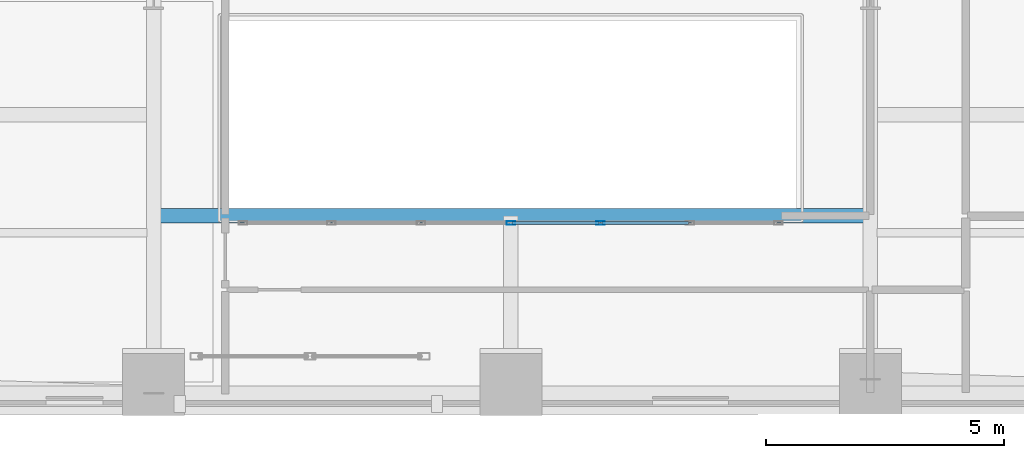
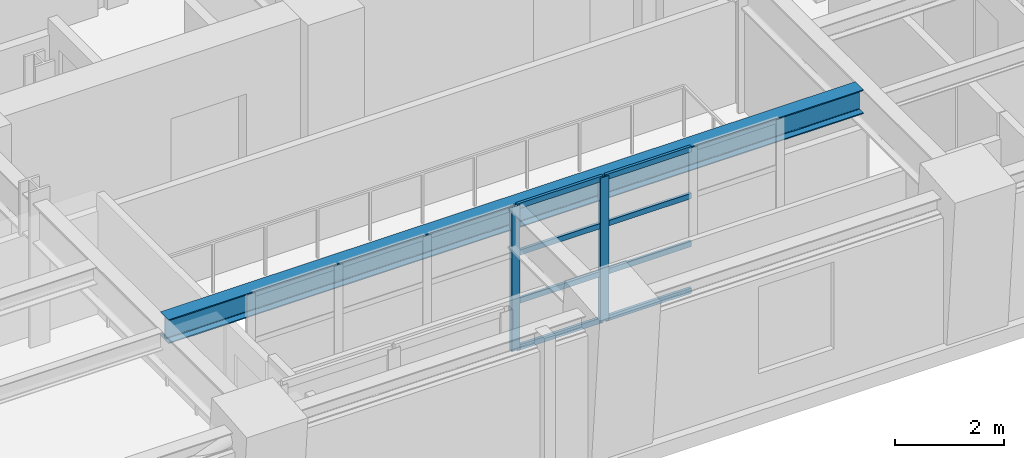
# One storey, part 3 of 16: 10 members, 1 beam, 1 element without a shape of its own.
"""IFC4 building model written with IfcOpenShell, lengths in metres."""

from ifc_helpers import new_model, si_unit, direction, frame, origin, origin_2d, place, context, subcontext, project, spatial, hollow_rectangle, i_section, extrude, material, layer, layer_set, material_profile, profile_set, type_object, element, aggregate, save


model = new_model("IFC4")

# Units and contexts
model_context = context("Model", 3, precision=1e-05, world=origin(), true_north=direction((0.0, 1.0)))
body_context = subcontext(model_context, "Body", "Model", "MODEL_VIEW")
ifc_project = project(units=[si_unit("LENGTHUNIT", "METRE"), si_unit("AREAUNIT", "SQUARE_METRE"), si_unit("VOLUMEUNIT", "CUBIC_METRE"), si_unit("PLANEANGLEUNIT", "RADIAN"), si_unit("MASSUNIT", "GRAM", prefix="KILO")], contexts=[model_context])

# Site, building, storey
site_placement = place(None, origin())
site = spatial("IfcSite", under=ifc_project, at=site_placement, CompositionType="ELEMENT")
building_placement = place(site_placement, origin())
building = spatial("IfcBuilding", under=site, at=building_placement, Name="Zarnavel Station Tower", CompositionType="ELEMENT")
storey_placement = place(building_placement, frame((0.0, 0.0, 97.800048828125)))
storey = spatial("IfcBuildingStorey", under=building, at=storey_placement, Name="L26", CompositionType="ELEMENT", Elevation=97.800048828125)

# Curtain wall, members
ifc_material_1 = material(Name="Aluminium Dark Anodised and Solar-Control Glass", Category="aluminium")
ifc_layer = layer(ifc_material_1, 0.179931640625)
ifc_layer_set = layer_set([ifc_layer], Name="CWS3")
curtain_wall_type = type_object("IfcCurtainWallType", Name="CWS3", PredefinedType="NOTDEFINED", material=ifc_layer_set)
curtain_wall_placement = place(storey_placement, origin())
curtain_wall = element("IfcCurtainWall", 1, at=curtain_wall_placement, inside=storey, type_object=curtain_wall_type, Name="L26 Curtain Wall CWS3-L26-AS", PredefinedType="NOTDEFINED")
ifc_material_2 = material(Name="Steel S355J2 (Black Fluoropolymer Coated)", Category="steel")
ifc_material_profile_1 = material_profile(ifc_material_2, hollow_rectangle(XDim=0.080078125, YDim=0.179931640625, WallThickness=0.00634765625, at=origin_2d()), Name="RHS180x80x6.3")
ifc_profile_set_1 = profile_set([ifc_material_profile_1], Name="Steel S355J2 (Black Fluoropolymer Coated)")
member_type_1 = type_object("IfcMemberType", Name="CWS3_MUL", PredefinedType="MULLION", material=ifc_profile_set_1)
member_1_placement = place(storey_placement, frame((28.800048828125, 20.64990234375, 0.0), z_axis=(0.0, 0.0, 1.0), x_axis=(0.0, 1.0, 0.0)))
member_1 = element("IfcMember", 2, at=member_1_placement, type_object=member_type_1, Name="CW3 mullion 4", PredefinedType="MULLION", context=body_context, shape_type="SweptSolid", body=[
    extrude(hollow_rectangle(XDim=0.080078125, YDim=0.179931640625, WallThickness=0.00634765625, at=origin_2d()), origin(), (0.0, 0.0, 1.0), 3.239990234375),
])
member_2_placement = place(storey_placement, frame((30.683349609375, 20.64990234375, 0.0), z_axis=(0.0, 0.0, 1.0), x_axis=(0.0, 1.0, 0.0)))
member_2 = element("IfcMember", 3, at=member_2_placement, type_object=member_type_1, Name="CW3 mullion 5", PredefinedType="MULLION", context=body_context, shape_type="SweptSolid", body=[
    extrude(hollow_rectangle(XDim=0.080078125, YDim=0.179931640625, WallThickness=0.00634765625, at=origin_2d()), origin(), (0.0, 0.0, 1.0), 3.239990234375),
])
ifc_material_3 = material(Name="Steel S355J2 (Black Fluoropolymer Coated)", Category="steel")
ifc_material_profile_2 = material_profile(ifc_material_3, hollow_rectangle(XDim=0.06005859375, YDim=0.1201171875, WallThickness=0.0048828125, at=origin_2d()), Name="RHS120x60x5")
ifc_profile_set_2 = profile_set([ifc_material_profile_2], Name="Steel S355J2 (Black Fluoropolymer Coated)")
member_type_2 = type_object("IfcMemberType", Name="CWS3_TRN", PredefinedType="USERDEFINED", material=ifc_profile_set_2)
member_3_placement = place(storey_placement, frame((28.830078125, 20.64990234375, 0.030029296875), z_axis=(1.0, 0.0, 0.0), x_axis=(0.0, 1.0, 0.0)))
member_3 = element("IfcMember", 4, at=member_3_placement, type_object=member_type_2, Name="CW3 transom 4.1", ObjectType="TRANSOM", PredefinedType="USERDEFINED", context=body_context, shape_type="SweptSolid", body=[
    extrude(hollow_rectangle(XDim=0.06005859375, YDim=0.1201171875, WallThickness=0.0048828125, at=origin_2d()), origin(), (0.0, 0.0, 1.0), 1.8232421875),
])
member_4_placement = place(storey_placement, frame((28.830078125, 20.64990234375, 1.079833984375), z_axis=(1.0, 0.0, 0.0), x_axis=(0.0, 1.0, 0.0)))
member_4 = element("IfcMember", 5, at=member_4_placement, type_object=member_type_2, Name="CW3 transom 4.2", ObjectType="TRANSOM", PredefinedType="USERDEFINED", context=body_context, shape_type="SweptSolid", body=[
    extrude(hollow_rectangle(XDim=0.06005859375, YDim=0.1201171875, WallThickness=0.0048828125, at=origin_2d()), origin(), (0.0, 0.0, 1.0), 1.8232421875),
])
member_5_placement = place(storey_placement, frame((28.830078125, 20.64990234375, 2.159912109375), z_axis=(1.0, 0.0, 0.0), x_axis=(0.0, 1.0, 0.0)))
member_5 = element("IfcMember", 6, at=member_5_placement, type_object=member_type_2, Name="CW3 transom 4.3", ObjectType="TRANSOM", PredefinedType="USERDEFINED", context=body_context, shape_type="SweptSolid", body=[
    extrude(hollow_rectangle(XDim=0.06005859375, YDim=0.1201171875, WallThickness=0.0048828125, at=origin_2d()), origin(), (0.0, 0.0, 1.0), 1.8232421875),
])
member_6_placement = place(storey_placement, frame((28.830078125, 20.64990234375, 3.2099609375), z_axis=(1.0, 0.0, 0.0), x_axis=(0.0, 1.0, 0.0)))
member_6 = element("IfcMember", 7, at=member_6_placement, type_object=member_type_2, Name="CW3 transom 4.4", ObjectType="TRANSOM", PredefinedType="USERDEFINED", context=body_context, shape_type="SweptSolid", body=[
    extrude(hollow_rectangle(XDim=0.06005859375, YDim=0.1201171875, WallThickness=0.0048828125, at=origin_2d()), origin(), (0.0, 0.0, 1.0), 1.8232421875),
])
member_7_placement = place(storey_placement, frame((30.71337890625, 20.64990234375, 0.030029296875), z_axis=(1.0, 0.0, 0.0), x_axis=(0.0, 1.0, 0.0)))
member_7 = element("IfcMember", 8, at=member_7_placement, type_object=member_type_2, Name="CW3 transom 5.1", ObjectType="TRANSOM", PredefinedType="USERDEFINED", context=body_context, shape_type="SweptSolid", body=[
    extrude(hollow_rectangle(XDim=0.06005859375, YDim=0.1201171875, WallThickness=0.0048828125, at=origin_2d()), origin(), (0.0, 0.0, 1.0), 1.8232421875),
])
member_8_placement = place(storey_placement, frame((30.71337890625, 20.64990234375, 1.079833984375), z_axis=(1.0, 0.0, 0.0), x_axis=(0.0, 1.0, 0.0)))
member_8 = element("IfcMember", 9, at=member_8_placement, type_object=member_type_2, Name="CW3 transom 5.2", ObjectType="TRANSOM", PredefinedType="USERDEFINED", context=body_context, shape_type="SweptSolid", body=[
    extrude(hollow_rectangle(XDim=0.06005859375, YDim=0.1201171875, WallThickness=0.0048828125, at=origin_2d()), origin(), (0.0, 0.0, 1.0), 1.8232421875),
])
member_9_placement = place(storey_placement, frame((30.71337890625, 20.64990234375, 2.159912109375), z_axis=(1.0, 0.0, 0.0), x_axis=(0.0, 1.0, 0.0)))
member_9 = element("IfcMember", 10, at=member_9_placement, type_object=member_type_2, Name="CW3 transom 5.3", ObjectType="TRANSOM", PredefinedType="USERDEFINED", context=body_context, shape_type="SweptSolid", body=[
    extrude(hollow_rectangle(XDim=0.06005859375, YDim=0.1201171875, WallThickness=0.0048828125, at=origin_2d()), origin(), (0.0, 0.0, 1.0), 1.8232421875),
])
member_10_placement = place(storey_placement, frame((30.71337890625, 20.64990234375, 3.2099609375), z_axis=(1.0, 0.0, 0.0), x_axis=(0.0, 1.0, 0.0)))
member_10 = element("IfcMember", 11, at=member_10_placement, type_object=member_type_2, Name="CW3 transom 5.4", ObjectType="TRANSOM", PredefinedType="USERDEFINED", context=body_context, shape_type="SweptSolid", body=[
    extrude(hollow_rectangle(XDim=0.06005859375, YDim=0.1201171875, WallThickness=0.0048828125, at=origin_2d()), origin(), (0.0, 0.0, 1.0), 1.8232421875),
])
aggregate(curtain_wall, [member_1, member_2, member_3, member_4, member_5, member_6, member_7, member_8, member_9, member_10])

# Beam
ifc_material_4 = material(Name="Steel S355J2", Category="steel")
ifc_material_profile_3 = material_profile(ifc_material_4, i_section(OverallWidth=0.300048828125, OverallDepth=0.5400390625, WebThickness=0.012451171875, FlangeThickness=0.02392578125, FilletRadius=0.027099609375, at=origin_2d()), Name="HEA550")
ifc_profile_set_3 = profile_set([ifc_material_profile_3], Name="Steel S355J2")
beam_type = type_object("IfcBeamType", Name="FB_HEA550", PredefinedType="BEAM", material=ifc_profile_set_3)
beam_placement = place(storey_placement, frame((21.445068359375, 20.800048828125, 2.969970703125), z_axis=(1.0, 0.0, 0.0), x_axis=(0.0, 1.0, 0.0)))
element("IfcBeam", 12, at=beam_placement, inside=storey, type_object=beam_type, Name="L26 Atrium South Edge Girder", PredefinedType="BEAM", context=body_context, shape_type="SweptSolid", body=[
    extrude(i_section(OverallWidth=0.300048828125, OverallDepth=0.5400390625, WebThickness=0.012451171875, FlangeThickness=0.02392578125, FilletRadius=0.027099609375, at=origin_2d()), origin(), (0.0, 0.0, 1.0), 14.760009765625),
])

save(model, "model.ifc")
